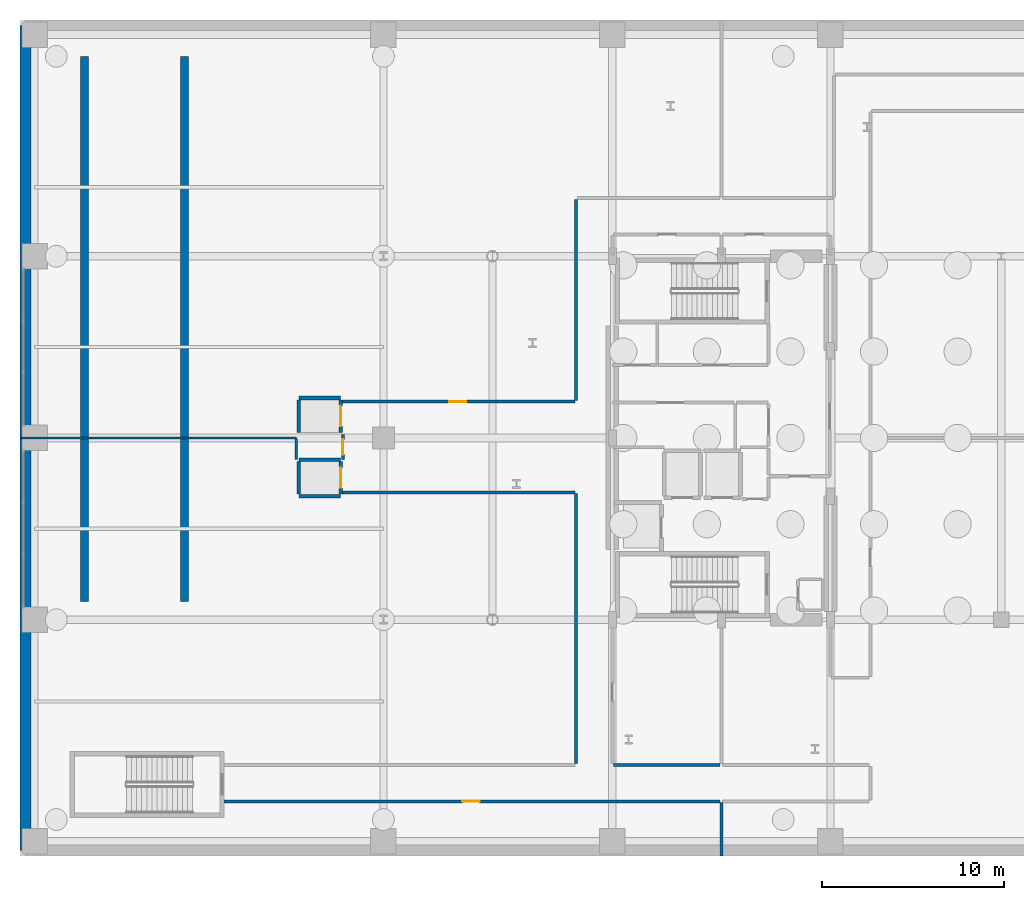
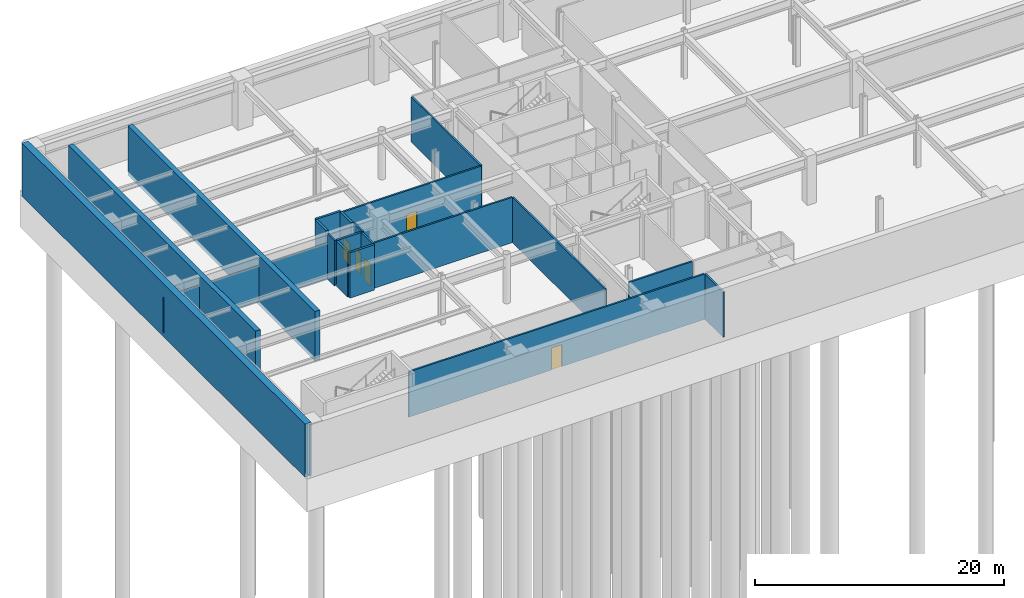
# One storey, part 17 of 25: 20 walls, 5 doors, 5 openings.
"""IFC4 building model written with IfcOpenShell, lengths in metres."""

from ifc_helpers import new_model, si_unit, direction, frame, frame_2d, origin, place, context, subcontext, project, spatial, rectangle, extrude, material, layer, layer_set, type_object, element, fill, save


model = new_model("IFC4")

# Units and contexts
model_context = context("Model", 3, precision=1e-05, world=origin(), true_north=direction((0.0, 1.0)))
body_context = subcontext(model_context, "Body", "Model", "MODEL_VIEW")
ifc_project = project(units=[si_unit("LENGTHUNIT", "METRE"), si_unit("AREAUNIT", "SQUARE_METRE"), si_unit("VOLUMEUNIT", "CUBIC_METRE"), si_unit("PLANEANGLEUNIT", "RADIAN"), si_unit("MASSUNIT", "GRAM", prefix="KILO")], contexts=[model_context])

# Site, building, storey
site_placement = place(None, origin())
site = spatial("IfcSite", under=ifc_project, at=site_placement, CompositionType="ELEMENT")
building_placement = place(site_placement, origin())
building = spatial("IfcBuilding", under=site, at=building_placement, Name="Soratama Intermodal Tower", CompositionType="ELEMENT")
storey_placement = place(building_placement, frame((0.0, 0.0, -10.199951171875)))
storey = spatial("IfcBuildingStorey", under=building, at=storey_placement, Name="B2", CompositionType="ELEMENT", Elevation=-10.199951171875)

# Wall, opening, door
ifc_material_1 = material(Name="Fire-rated gypsum stud partition", Category="concrete")
ifc_layer_1 = layer(ifc_material_1, 0.159912109375)
ifc_layer_set_1 = layer_set([ifc_layer_1], Name="Fire-rated gypsum stud partition")
wall_type_1 = type_object("IfcWallType", Name="IW-PART-R160", PredefinedType="PARTITIONING", material=ifc_layer_set_1)
wall_1_placement = place(storey_placement, frame((38.530029296875, 5.0, 0.0), z_axis=(0.0, 0.0, 1.0), x_axis=(-1.0, 0.0, 0.0)))
wall_1 = element("IfcWall", 1, at=wall_1_placement, inside=storey, type_object=wall_type_1, Name="B2 Partition W-B2-TP003", PredefinedType="PARTITIONING", context=body_context, shape_type="SweptSolid", body=[
    extrude(rectangle(XDim=27.409912109375, YDim=0.159912109375, at=frame_2d((13.705078125, 0.0))), origin(), (0.0, 0.0, 1.0), 4.43994140625),
])
opening_1_placement = place(wall_1_placement, frame((13.22998046875, 0.0, 0.0)))
opening_1 = element("IfcOpeningElement", 2, at=opening_1_placement, cuts=wall_1, Name="Opening ID-3", PredefinedType="OPENING", context=body_context, shape_type="SweptSolid", body=[
    extrude(rectangle(XDim=0.949951171875, YDim=2.14990234375, at=frame_2d((0.47509765625, 1.074951171875))), frame((0.0, 0.08984375, 0.0), z_axis=(0.0, -1.0, 0.0), x_axis=(1.0, 0.0, 0.0)), (0.0, 0.0, 1.0), 0.179931640625),
])
ifc_material_2 = material(Name="Solid hardwood acoustic door", Category="wood")
door_type_1 = type_object("IfcDoorType", Name="DR-ROOM-950", OperationType="NOTDEFINED", PredefinedType="DOOR", material=ifc_material_2)
door_1_placement = place(opening_1_placement, origin())
door_1 = element("IfcDoor", 3, at=door_1_placement, inside=storey, type_object=door_type_1, Name="B2 Door D-B2-TP002", OperationType="SINGLE_SWING_LEFT", OverallHeight=2.14990234375, OverallWidth=0.949951171875, PredefinedType="DOOR", context=body_context, shape_type="SweptSolid", body=[
    extrude(rectangle(XDim=0.949951171875, YDim=2.14990234375, at=frame_2d((0.47509765625, 1.074951171875))), frame((0.0, 0.02490234375, 0.0), z_axis=(0.0, -1.0, 0.0), x_axis=(1.0, 0.0, 0.0)), (0.0, 0.0, 1.0), 0.050048828125),
])
fill(opening_1, door_1)

# Walls
wall_2_placement = place(storey_placement, frame((30.60009765625, 7.070068359375, 0.0), z_axis=(0.0, 0.0, 1.0), x_axis=(0.0, 1.0, 0.0)))
element("IfcWall", 4, at=wall_2_placement, inside=storey, type_object=wall_type_1, Name="B2 Partition W-B2-TP008", PredefinedType="PARTITIONING", context=body_context, shape_type="SweptSolid", body=[
    extrude(rectangle(XDim=14.85986328125, YDim=0.159912109375, at=frame_2d((7.429931640625, 0.0))), origin(), (0.0, 0.0, 1.0), 4.43994140625),
])
wall_3_placement = place(storey_placement, frame((30.530029296875, 22.0, 0.0), z_axis=(0.0, 0.0, 1.0), x_axis=(-1.0, 0.0, 0.0)))
element("IfcWall", 5, at=wall_3_placement, inside=storey, type_object=wall_type_1, Name="B2 Partition W-B2-TP010", PredefinedType="PARTITIONING", context=body_context, shape_type="SweptSolid", body=[
    extrude(rectangle(XDim=12.880126953125, YDim=0.159912109375, at=frame_2d((6.43994140625, 0.0))), origin(), (0.0, 0.0, 1.0), 4.43994140625),
])

# Wall, opening, door
wall_4_placement = place(storey_placement, frame((17.64990234375, 27.0, 0.0), z_axis=(0.0, 0.0, 1.0), x_axis=(1.0, 0.0, 0.0)))
wall_4 = element("IfcWall", 6, at=wall_4_placement, inside=storey, type_object=wall_type_1, Name="B2 Partition W-B2-TP011", PredefinedType="PARTITIONING", context=body_context, shape_type="SweptSolid", body=[
    extrude(rectangle(XDim=12.880126953125, YDim=0.159912109375, at=frame_2d((6.43994140625, 0.0))), origin(), (0.0, 0.0, 1.0), 4.43994140625),
])
opening_2_placement = place(wall_4_placement, frame((5.965087890625, 0.0, 0.0)))
opening_2 = element("IfcOpeningElement", 7, at=opening_2_placement, cuts=wall_4, Name="Opening ID-3", PredefinedType="OPENING", context=body_context, shape_type="SweptSolid", body=[
    extrude(rectangle(XDim=0.949951171875, YDim=2.14990234375, at=frame_2d((0.47509765625, 1.074951171875))), frame((0.0, 0.08984375, 0.0), z_axis=(0.0, -1.0, 0.0), x_axis=(1.0, 0.0, 0.0)), (0.0, 0.0, 1.0), 0.179931640625),
])
door_2_placement = place(opening_2_placement, origin())
door_2 = element("IfcDoor", 8, at=door_2_placement, inside=storey, type_object=door_type_1, Name="B2 Door D-B2-TP004", OperationType="SINGLE_SWING_LEFT", OverallHeight=2.14990234375, OverallWidth=0.949951171875, PredefinedType="DOOR", context=body_context, shape_type="SweptSolid", body=[
    extrude(rectangle(XDim=0.949951171875, YDim=2.14990234375, at=frame_2d((0.47509765625, 1.074951171875))), frame((0.0, 0.02490234375, 0.0), z_axis=(0.0, -1.0, 0.0), x_axis=(1.0, 0.0, 0.0)), (0.0, 0.0, 1.0), 0.050048828125),
])
fill(opening_2, door_2)

# Walls
wall_5_placement = place(storey_placement, frame((30.60009765625, 27.070068359375, 0.0), z_axis=(0.0, 0.0, 1.0), x_axis=(0.0, 1.0, 0.0)))
element("IfcWall", 9, at=wall_5_placement, inside=storey, type_object=wall_type_1, Name="B2 Partition W-B2-TP012", PredefinedType="PARTITIONING", context=body_context, shape_type="SweptSolid", body=[
    extrude(rectangle(XDim=11.059814453125, YDim=0.159912109375, at=frame_2d((5.52978515625, 0.0))), origin(), (0.0, 0.0, 1.0), 4.43994140625),
])
wall_6_placement = place(storey_placement, frame((32.669921875, 7.0, 0.0), z_axis=(0.0, 0.0, 1.0), x_axis=(1.0, 0.0, 0.0)))
element("IfcWall", 10, at=wall_6_placement, inside=storey, type_object=wall_type_1, Name="B2 Partition W-B2-TP024", PredefinedType="PARTITIONING", context=body_context, shape_type="SweptSolid", body=[
    extrude(rectangle(XDim=5.860107421875, YDim=0.159912109375, at=frame_2d((2.93017578125, 0.0))), origin(), (0.0, 0.0, 1.0), 4.43994140625),
])
wall_7_placement = place(storey_placement, frame((38.60009765625, 2.0, 0.0), z_axis=(0.0, 0.0, 1.0), x_axis=(0.0, 1.0, 0.0)))
element("IfcWall", 11, at=wall_7_placement, inside=storey, type_object=wall_type_1, Name="B2 Partition W-B2-TP029", PredefinedType="PARTITIONING", context=body_context, shape_type="SweptSolid", body=[
    extrude(rectangle(XDim=2.929931640625, YDim=0.159912109375, at=frame_2d((1.46484375, 0.0))), origin(), (0.0, 0.0, 1.0), 4.43994140625),
])

# Wall, opening, door
wall_8_placement = place(storey_placement, frame((17.77001953125, 23.800048828125, 0.0), z_axis=(0.0, 0.0, 1.0), x_axis=(0.0, 1.0, 0.0)))
wall_8 = element("IfcWall", 12, at=wall_8_placement, inside=storey, type_object=wall_type_1, Name="B2 Partition W-B2-TP042", PredefinedType="PARTITIONING", context=body_context, shape_type="SweptSolid", body=[
    extrude(rectangle(XDim=1.39990234375, YDim=0.159912109375, at=frame_2d((0.699951171875, 0.0))), origin(), (0.0, 0.0, 1.0), 4.43994140625),
])
opening_3_placement = place(wall_8_placement, frame((0.27490234375, 0.0, 0.0)))
opening_3 = element("IfcOpeningElement", 13, at=opening_3_placement, cuts=wall_8, Name="Opening ID-4", PredefinedType="OPENING", context=body_context, shape_type="SweptSolid", body=[
    extrude(rectangle(XDim=0.85009765625, YDim=2.10009765625, at=frame_2d((0.425048828125, 1.050048828125))), frame((0.0, 0.08984375, 0.0), z_axis=(0.0, -1.0, 0.0), x_axis=(1.0, 0.0, 0.0)), (0.0, 0.0, 1.0), 0.179931640625),
])
ifc_material_3 = material(Name="Solid hardwood acoustic door", Category="wood")
door_type_2 = type_object("IfcDoorType", Name="DR-BATH-850", OperationType="NOTDEFINED", PredefinedType="DOOR", material=ifc_material_3)
door_3_placement = place(opening_3_placement, origin())
door_3 = element("IfcDoor", 14, at=door_3_placement, inside=storey, type_object=door_type_2, Name="B2 Door D-B2-TP015", OperationType="SINGLE_SWING_LEFT", OverallHeight=2.10009765625, OverallWidth=0.85009765625, PredefinedType="DOOR", context=body_context, shape_type="SweptSolid", body=[
    extrude(rectangle(XDim=0.85009765625, YDim=2.10009765625, at=frame_2d((0.425048828125, 1.050048828125))), frame((0.0, 0.02490234375, 0.0), z_axis=(0.0, -1.0, 0.0), x_axis=(1.0, 0.0, 0.0)), (0.0, 0.0, 1.0), 0.050048828125),
])
fill(opening_3, door_3)

# Walls
wall_9_placement = place(storey_placement, frame((15.205078125, 23.800048828125, 0.0), z_axis=(0.0, 0.0, 1.0), x_axis=(0.0, 1.0, 0.0)))
element("IfcWall", 15, at=wall_9_placement, inside=storey, type_object=wall_type_1, Name="B2 Partition W-B2-TP043", PredefinedType="PARTITIONING", context=body_context, shape_type="SweptSolid", body=[
    extrude(rectangle(XDim=1.1298828125, YDim=0.159912109375, at=frame_2d((0.56494140625, 0.0))), origin(), (0.0, 0.0, 1.0), 4.43994140625),
])
ifc_material_4 = material(Name="Fire-rated gypsum stud partition", Category="concrete")
ifc_layer_2 = layer(ifc_material_4, 0.10009765625)
ifc_layer_set_2 = layer_set([ifc_layer_2], Name="Fire-rated gypsum stud partition")
wall_type_2 = type_object("IfcWallType", Name="IW-PART-S100", PredefinedType="PARTITIONING", material=ifc_layer_set_2)
wall_10_placement = place(storey_placement, frame((0.0, 25.0, 0.0), z_axis=(0.0, 0.0, 1.0), x_axis=(1.0, 0.0, 0.0)))
element("IfcWall", 16, at=wall_10_placement, inside=storey, type_object=wall_type_2, Name="B2 Partition W-B2-TP007", PredefinedType="PARTITIONING", context=body_context, shape_type="SweptSolid", body=[
    extrude(rectangle(XDim=15.205078125, YDim=0.10009765625, at=frame_2d((7.6025390625, 0.0))), origin(), (0.0, 0.0, 1.0), 3.490966796875),
])
ifc_material_5 = material(Name="Concrete f'c 42 MPa", Category="concrete")
ifc_layer_3 = layer(ifc_material_5, 0.199951171875)
ifc_layer_set_3 = layer_set([ifc_layer_3], Name="Concrete f'c 42 MPa")
wall_type_3 = type_object("IfcWallType", Name="IW-SHAFT-200", PredefinedType="SOLIDWALL", material=ifc_layer_set_3)
for number, where, z_axis, x_axis, name in (
    (17, (15.35009765625, 21.800048828125, 0.0), (0.0, 0.0, 1.0), (1.0, 0.0, 0.0), "B2 PL-P1 Hoistway Wall S"),
    (18, (15.35009765625, 23.800048828125, 0.0), (0.0, 0.0, 1.0), (1.0, 0.0, 0.0), "B2 PL-P1 Hoistway Wall N"),
):
    element("IfcWall", number, at=place(storey_placement, frame(where, z_axis=z_axis, x_axis=x_axis)), inside=storey, type_object=wall_type_3, Name=name, PredefinedType="SOLIDWALL", context=body_context, shape_type="SweptSolid", body=[
        extrude(rectangle(XDim=2.2998046875, YDim=0.199951171875, at=frame_2d((1.14990234375, 0.0))), origin(), (0.0, 0.0, 1.0), 4.43994140625),
    ])
wall_11_placement = place(storey_placement, frame((15.35009765625, 21.909912109375, 0.0), z_axis=(0.0, 0.0, 1.0), x_axis=(0.0, 1.0, 0.0)))
element("IfcWall", 19, at=wall_11_placement, inside=storey, type_object=wall_type_3, Name="B2 PL-P1 Hoistway Wall W", PredefinedType="SOLIDWALL", context=body_context, shape_type="SweptSolid", body=[
    extrude(rectangle(XDim=1.780029296875, YDim=0.199951171875, at=frame_2d((0.89013671875, 0.0))), origin(), (0.0, 0.0, 1.0), 4.43994140625),
])

# Wall, opening, door
wall_12_placement = place(storey_placement, frame((17.64990234375, 21.909912109375, 0.0), z_axis=(0.0, 0.0, 1.0), x_axis=(0.0, 1.0, 0.0)))
wall_12 = element("IfcWall", 20, at=wall_12_placement, inside=storey, type_object=wall_type_3, Name="B2 PL-P1 Hoistway Wall E", PredefinedType="SOLIDWALL", context=body_context, shape_type="SweptSolid", body=[
    extrude(rectangle(XDim=1.780029296875, YDim=0.199951171875, at=frame_2d((0.89013671875, 0.0))), origin(), (0.0, 0.0, 1.0), 4.43994140625),
])
opening_4_placement = place(wall_12_placement, frame((0.340087890625, 0.0, 0.0)))
opening_4 = element("IfcOpeningElement", 21, at=opening_4_placement, cuts=wall_12, Name="Opening LD-1", PredefinedType="OPENING", context=body_context, shape_type="SweptSolid", body=[
    extrude(rectangle(XDim=1.10009765625, YDim=2.14990234375, at=frame_2d((0.550048828125, 1.074951171875))), frame((0.0, 0.10986328125, 0.0), z_axis=(0.0, -1.0, 0.0), x_axis=(1.0, 0.0, 0.0)), (0.0, 0.0, 1.0), 0.219970703125),
])
ifc_material_6 = material(Name="Steel fire door", Category="steel")
door_type_3 = type_object("IfcDoorType", Name="DR-LIFT-SLIDE", OperationType="NOTDEFINED", PredefinedType="DOOR", material=ifc_material_6)
door_4_placement = place(opening_4_placement, origin())
door_4 = element("IfcDoor", 22, at=door_4_placement, inside=storey, type_object=door_type_3, Name="B2 PL-P1 Sliding Landing Door", OperationType="SLIDING_TO_LEFT", OverallHeight=2.14990234375, OverallWidth=1.10009765625, PredefinedType="DOOR", context=body_context, shape_type="SweptSolid", body=[
    extrude(rectangle(XDim=1.10009765625, YDim=2.14990234375, at=frame_2d((0.550048828125, 1.074951171875))), frame((0.0, 0.02490234375, 0.0), z_axis=(0.0, -1.0, 0.0), x_axis=(1.0, 0.0, 0.0)), (0.0, 0.0, 1.0), 0.050048828125),
])
fill(opening_4, door_4)

# Walls
wall_13_placement = place(storey_placement, frame((15.35009765625, 27.199951171875, 0.0), z_axis=(0.0, 0.0, 1.0), x_axis=(1.0, 0.0, 0.0)))
element("IfcWall", 23, at=wall_13_placement, inside=storey, type_object=wall_type_3, Name="B2 PL-P2 Hoistway Wall N", PredefinedType="SOLIDWALL", context=body_context, shape_type="SweptSolid", body=[
    extrude(rectangle(XDim=2.2998046875, YDim=0.199951171875, at=frame_2d((1.14990234375, 0.0))), origin(), (0.0, 0.0, 1.0), 4.43994140625),
])
wall_14_placement = place(storey_placement, frame((15.35009765625, 25.31005859375, 0.0), z_axis=(0.0, 0.0, 1.0), x_axis=(0.0, 1.0, 0.0)))
element("IfcWall", 24, at=wall_14_placement, inside=storey, type_object=wall_type_3, Name="B2 PL-P2 Hoistway Wall W", PredefinedType="SOLIDWALL", context=body_context, shape_type="SweptSolid", body=[
    extrude(rectangle(XDim=1.780029296875, YDim=0.199951171875, at=frame_2d((0.89013671875, 0.0))), origin(), (0.0, 0.0, 1.0), 4.43994140625),
])

# Wall, opening, door
wall_15_placement = place(storey_placement, frame((17.64990234375, 25.31005859375, 0.0), z_axis=(0.0, 0.0, 1.0), x_axis=(0.0, 1.0, 0.0)))
wall_15 = element("IfcWall", 25, at=wall_15_placement, inside=storey, type_object=wall_type_3, Name="B2 PL-P2 Hoistway Wall E", PredefinedType="SOLIDWALL", context=body_context, shape_type="SweptSolid", body=[
    extrude(rectangle(XDim=1.780029296875, YDim=0.199951171875, at=frame_2d((0.89013671875, 0.0))), origin(), (0.0, 0.0, 1.0), 4.43994140625),
])
opening_5_placement = place(wall_15_placement, frame((0.340087890625, 0.0, 0.0)))
opening_5 = element("IfcOpeningElement", 26, at=opening_5_placement, cuts=wall_15, Name="Opening LD-1", PredefinedType="OPENING", context=body_context, shape_type="SweptSolid", body=[
    extrude(rectangle(XDim=1.10009765625, YDim=2.14990234375, at=frame_2d((0.550048828125, 1.074951171875))), frame((0.0, 0.10986328125, 0.0), z_axis=(0.0, -1.0, 0.0), x_axis=(1.0, 0.0, 0.0)), (0.0, 0.0, 1.0), 0.219970703125),
])
door_5_placement = place(opening_5_placement, origin())
door_5 = element("IfcDoor", 27, at=door_5_placement, inside=storey, type_object=door_type_3, Name="B2 PL-P2 Sliding Landing Door", OperationType="SLIDING_TO_LEFT", OverallHeight=2.14990234375, OverallWidth=1.10009765625, PredefinedType="DOOR", context=body_context, shape_type="SweptSolid", body=[
    extrude(rectangle(XDim=1.10009765625, YDim=2.14990234375, at=frame_2d((0.550048828125, 1.074951171875))), frame((0.0, 0.02490234375, 0.0), z_axis=(0.0, -1.0, 0.0), x_axis=(1.0, 0.0, 0.0)), (0.0, 0.0, 1.0), 0.050048828125),
])
fill(opening_5, door_5)

# Walls
ifc_material_7 = material(Name="Concrete f'c 42 MPa", Category="concrete")
ifc_layer_4 = layer(ifc_material_7, 0.60009765625)
ifc_layer_set_4 = layer_set([ifc_layer_4], Name="Concrete f'c 42 MPa")
wall_type_4 = type_object("IfcWallType", Name="RW-BSMT-600", PredefinedType="USERDEFINED", material=ifc_layer_set_4)
wall_16_placement = place(storey_placement, frame((0.300048828125, 47.699951171875, -0.400146484375), z_axis=(0.0, 0.0, 1.0), x_axis=(0.0, -1.0, 0.0)))
element("IfcWall", 28, at=wall_16_placement, inside=storey, type_object=wall_type_4, Name="B2 Retaining Wall W", ObjectType="RETAINING WALL", PredefinedType="USERDEFINED", context=body_context, shape_type="SweptSolid", body=[
    extrude(rectangle(XDim=45.39990234375, YDim=0.60009765625, at=frame_2d((22.699951171875, 0.0))), origin(), (0.0, 0.0, 1.0), 5.2001953125),
])
ifc_material_8 = material(Name="Concrete f'c 56 MPa", Category="concrete")
ifc_layer_5 = layer(ifc_material_8, 0.449951171875)
ifc_layer_set_5 = layer_set([ifc_layer_5], Name="Concrete f'c 56 MPa")
wall_type_5 = type_object("IfcWallType", Name="SW-CORE-450", PredefinedType="SHEAR", material=ifc_layer_set_5)
for number, where, z_axis, x_axis, name in (
    (29, (3.550048828125, 16.0, -0.400146484375), (0.0, 0.0, 1.0), (0.0, 1.0, 0.0), "B2 Vehicle Ramp Support Wall W"),
    (30, (9.050048828125, 16.0, -0.400146484375), (0.0, 0.0, 1.0), (0.0, 1.0, 0.0), "B2 Vehicle Ramp Support Wall E"),
):
    element("IfcWall", number, at=place(storey_placement, frame(where, z_axis=z_axis, x_axis=x_axis)), inside=storey, type_object=wall_type_5, Name=name, PredefinedType="SHEAR", context=body_context, shape_type="SweptSolid", body=[
        extrude(rectangle(XDim=30.0, YDim=0.449951171875, at=frame_2d((15.0, 0.0))), origin(), (0.0, 0.0, 1.0), 4.840087890625),
    ])

save(model, "model.ifc")
